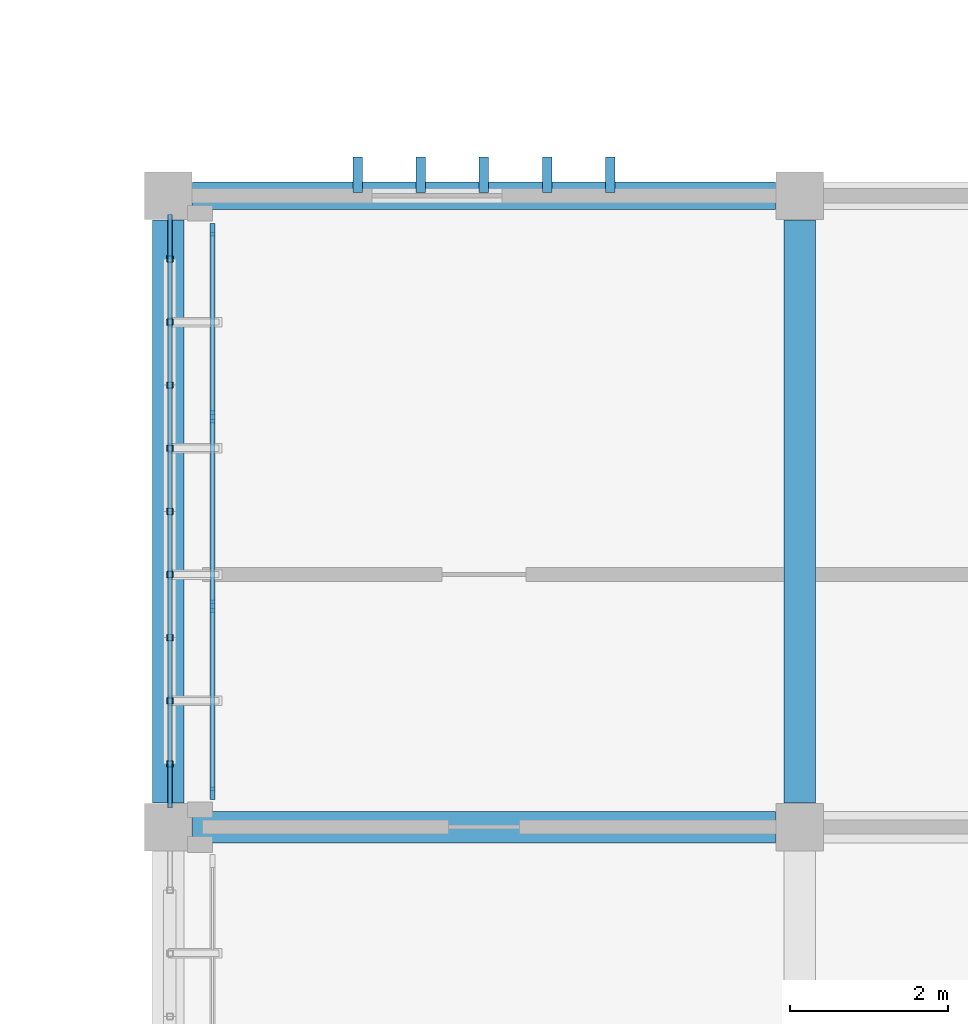
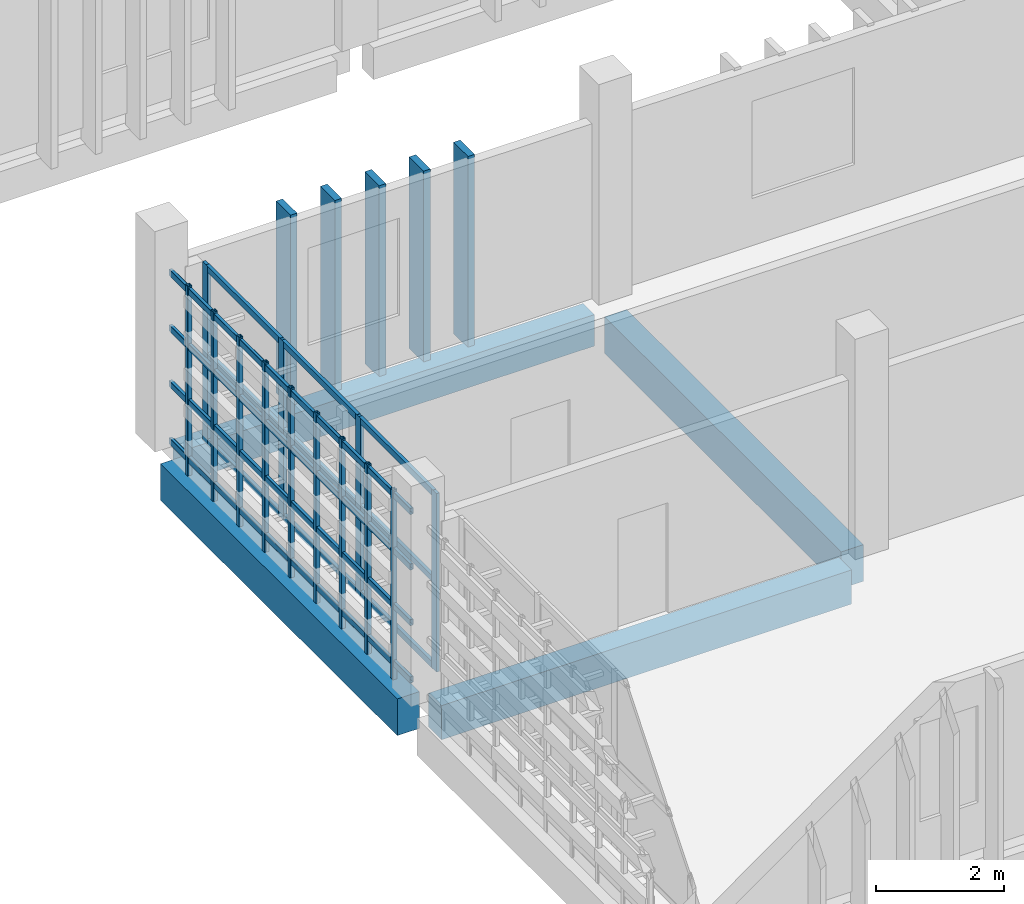
# One storey, part 24 of 63: 31 members, 4 beams, 1 element without a shape of its own.
"""IFC4 building model written with IfcOpenShell, lengths in metres."""

from ifc_helpers import new_model, si_unit, direction, frame, origin, origin_2d, place, context, subcontext, project, spatial, rectangle, hollow_rectangle, extrude, material, layer, layer_set, material_profile, profile_set, type_object, element, aggregate, save


model = new_model("IFC4")

# Units and contexts
model_context = context("Model", 3, precision=1e-05, world=origin(), true_north=direction((0.0, 1.0)))
body_context = subcontext(model_context, "Body", "Model", "MODEL_VIEW")
ifc_project = project(units=[si_unit("LENGTHUNIT", "METRE"), si_unit("AREAUNIT", "SQUARE_METRE"), si_unit("VOLUMEUNIT", "CUBIC_METRE"), si_unit("PLANEANGLEUNIT", "RADIAN"), si_unit("MASSUNIT", "GRAM", prefix="KILO")], contexts=[model_context])

# Site, building, storey
site_placement = place(None, origin())
site = spatial("IfcSite", under=ifc_project, at=site_placement, CompositionType="ELEMENT")
building_placement = place(site_placement, origin())
building = spatial("IfcBuilding", under=site, at=building_placement, Name="Jelvoka-Kovrelna Polytechnic", CompositionType="ELEMENT")
storey_placement = place(building_placement, frame((0.0, 0.0, 18.0)))
storey = spatial("IfcBuildingStorey", under=building, at=storey_placement, Name="L05", CompositionType="ELEMENT", Elevation=18.0)

# Beams
ifc_material_1 = material(Name="Concrete C40/50", Category="concrete")
ifc_material_profile_1 = material_profile(ifc_material_1, rectangle(XDim=0.39990234375, YDim=0.64990234375, at=origin_2d()), Name="RC 400x650")
ifc_profile_set_1 = profile_set([ifc_material_profile_1], Name="Concrete C40/50")
beam_type_1 = type_object("IfcBeamType", Name="Beam_RC_400x650", PredefinedType="BEAM", material=ifc_profile_set_1)
beam_1_placement = place(storey_placement, frame((128.304931640625, 40.0, -0.574951171875), z_axis=(1.0, 0.0, 0.0), x_axis=(0.0, 1.0, 0.0)))
element("IfcBeam", 1, at=beam_1_placement, inside=storey, type_object=beam_type_1, Name="L05 beam 1468", PredefinedType="BEAM", context=body_context, shape_type="SweptSolid", body=[
    extrude(rectangle(XDim=0.39990234375, YDim=0.64990234375, at=origin_2d()), origin(), (0.0, 0.0, 1.0), 7.39013671875),
])
ifc_material_2 = material(Name="Concrete C40/50", Category="concrete")
ifc_material_profile_2 = material_profile(ifc_material_2, rectangle(XDim=0.39990234375, YDim=0.699951171875, at=origin_2d()), Name="RC 400x700")
ifc_profile_set_2 = profile_set([ifc_material_profile_2], Name="Concrete C40/50")
beam_type_2 = type_object("IfcBeamType", Name="Beam_RC_400x700", PredefinedType="BEAM", material=ifc_profile_set_2)
for number, where, z_axis, x_axis, name in (
    (2, (128.0, 40.304931640625, -0.60009765625), (0.0, 1.0, 0.0), (-1.0, 0.0, 0.0), "L05 beam 1486"),
    (3, (136.0, 40.304931640625, -0.60009765625), (0.0, 1.0, 0.0), (-1.0, 0.0, 0.0), "L05 beam 1488"),
):
    element("IfcBeam", number, at=place(storey_placement, frame(where, z_axis=z_axis, x_axis=x_axis)), inside=storey, type_object=beam_type_2, Name=name, PredefinedType="BEAM", context=body_context, shape_type="SweptSolid", body=[
        extrude(rectangle(XDim=0.39990234375, YDim=0.699951171875, at=origin_2d()), origin(), (0.0, 0.0, 1.0), 7.39013671875),
    ])

# Members
ifc_material_3 = material(Name="Precast concrete C40/50", Category="concrete")
ifc_material_profile_3 = material_profile(ifc_material_3, rectangle(XDim=0.1201171875, YDim=0.449951171875, at=origin_2d()), Name="PC 120x450")
ifc_profile_set_3 = profile_set([ifc_material_profile_3], Name="Precast concrete C40/50")
member_type_1 = type_object("IfcMemberType", Name="Louvre_Fin_120x450", PredefinedType="USERDEFINED", material=ifc_profile_set_3)
for number, where, z_axis, x_axis, name in (
    (4, (130.39990234375, 48.264892578125, -0.27001953125), (0.0, 0.0, 1.0), (1.0, 0.0, 0.0), "L05 B2E north vertical solar louvre fin 1011"),
    (5, (131.199951171875, 48.264892578125, -0.27001953125), (0.0, 0.0, 1.0), (1.0, 0.0, 0.0), "L05 B2E north vertical solar louvre fin 1012"),
    (6, (132.0, 48.264892578125, -0.27001953125), (0.0, 0.0, 1.0), (1.0, 0.0, 0.0), "L05 B2E north vertical solar louvre fin 1013"),
    (7, (132.800048828125, 48.264892578125, -0.27001953125), (0.0, 0.0, 1.0), (1.0, 0.0, 0.0), "L05 B2E north vertical solar louvre fin 1014"),
    (8, (133.60009765625, 48.264892578125, -0.27001953125), (0.0, 0.0, 1.0), (1.0, 0.0, 0.0), "L05 B2E north vertical solar louvre fin 1015"),
):
    element("IfcMember", number, at=place(storey_placement, frame(where, z_axis=z_axis, x_axis=x_axis)), inside=storey, type_object=member_type_1, Name=name, ObjectType="SUNSHADE", PredefinedType="USERDEFINED", context=body_context, shape_type="SweptSolid", body=[
        extrude(rectangle(XDim=0.1201171875, YDim=0.449951171875, at=origin_2d()), origin(), (0.0, 0.0, 1.0), 3.655029296875),
    ])
ifc_material_4 = material(Name="Structural steel S355J2H", Category="steel")
ifc_material_profile_4 = material_profile(ifc_material_4, hollow_rectangle(XDim=0.06005859375, YDim=0.1201171875, WallThickness=0.0048828125, InnerFilletRadius=0.0048828125, OuterFilletRadius=0.007568359375, at=origin_2d()), Name="120x60x5.0 RHS")
ifc_profile_set_4 = profile_set([ifc_material_profile_4], Name="Structural steel S355J2H")
member_type_2 = type_object("IfcMemberType", Name="Member_Strut_RHS120", PredefinedType="STRUT", material=ifc_profile_set_4)
for number, where, z_axis, x_axis, name in (
    (9, (128.02001953125, 40.239990234375, 0.080078125), (0.0, 1.0, 0.0), (-1.0, 0.0, 0.0), "L05 terracotta screen horizontal strut 0495"),
    (10, (128.02001953125, 40.239990234375, 1.17138671875), (0.0, 1.0, 0.0), (-1.0, 0.0, 0.0), "L05 terracotta screen horizontal strut 0496"),
    (11, (128.02001953125, 40.239990234375, 2.230712890625), (0.0, 1.0, 0.0), (-1.0, 0.0, 0.0), "L05 terracotta screen horizontal strut 0497"),
    (12, (128.02001953125, 40.239990234375, 3.2900390625), (0.0, 1.0, 0.0), (-1.0, 0.0, 0.0), "L05 terracotta screen horizontal strut 0498"),
):
    element("IfcMember", number, at=place(storey_placement, frame(where, z_axis=z_axis, x_axis=x_axis)), inside=storey, type_object=member_type_2, Name=name, PredefinedType="STRUT", context=body_context, shape_type="SweptSolid", body=[
        extrude(hollow_rectangle(XDim=0.06005859375, YDim=0.1201171875, WallThickness=0.0048828125, InnerFilletRadius=0.0048828125, OuterFilletRadius=0.007568359375, at=origin_2d()), origin(), (0.0, 0.0, 1.0), 7.52001953125),
    ])
ifc_material_5 = material(Name="Structural steel S355J2H", Category="steel")
ifc_material_profile_5 = material_profile(ifc_material_5, hollow_rectangle(XDim=0.080078125, YDim=0.080078125, WallThickness=0.0048828125, InnerFilletRadius=0.0048828125, OuterFilletRadius=0.007568359375, at=origin_2d()), Name="80x80x5.0 SHS")
ifc_profile_set_5 = profile_set([ifc_material_profile_5], Name="Structural steel S355J2H")
member_type_3 = type_object("IfcMemberType", Name="Member_Strut_SHS80", PredefinedType="STRUT", material=ifc_profile_set_5)
for number, where, z_axis, x_axis, name in (
    (13, (128.02001953125, 40.800048828125, -0.22998046875), (0.0, 0.0, 1.0), (1.0, 0.0, 0.0), "L05 terracotta lattice vertical rib 0499"),
    (14, (128.02001953125, 41.60009765625, -0.22998046875), (0.0, 0.0, 1.0), (1.0, 0.0, 0.0), "L05 terracotta lattice vertical rib 0500"),
    (15, (128.02001953125, 42.39990234375, -0.22998046875), (0.0, 0.0, 1.0), (1.0, 0.0, 0.0), "L05 terracotta lattice vertical rib 0501"),
    (16, (128.02001953125, 43.199951171875, -0.22998046875), (0.0, 0.0, 1.0), (1.0, 0.0, 0.0), "L05 terracotta lattice vertical rib 0502"),
    (17, (128.02001953125, 44.0, -0.22998046875), (0.0, 0.0, 1.0), (1.0, 0.0, 0.0), "L05 terracotta lattice vertical rib 0503"),
    (18, (128.02001953125, 44.800048828125, -0.22998046875), (0.0, 0.0, 1.0), (1.0, 0.0, 0.0), "L05 terracotta lattice vertical rib 0504"),
    (19, (128.02001953125, 45.60009765625, -0.22998046875), (0.0, 0.0, 1.0), (1.0, 0.0, 0.0), "L05 terracotta lattice vertical rib 0505"),
    (20, (128.02001953125, 46.39990234375, -0.22998046875), (0.0, 0.0, 1.0), (1.0, 0.0, 0.0), "L05 terracotta lattice vertical rib 0506"),
    (21, (128.02001953125, 47.199951171875, -0.22998046875), (0.0, 0.0, 1.0), (1.0, 0.0, 0.0), "L05 terracotta lattice vertical rib 0507"),
):
    element("IfcMember", number, at=place(storey_placement, frame(where, z_axis=z_axis, x_axis=x_axis)), inside=storey, type_object=member_type_3, Name=name, PredefinedType="STRUT", context=body_context, shape_type="SweptSolid", body=[
        extrude(hollow_rectangle(XDim=0.080078125, YDim=0.080078125, WallThickness=0.0048828125, InnerFilletRadius=0.0048828125, OuterFilletRadius=0.007568359375, at=origin_2d()), origin(), (0.0, 0.0, 1.0), 3.60986328125),
    ])

# Curtain wall, members
ifc_material_6 = material(Name="Anodised aluminium 6063-T6", Category="aluminium")
ifc_layer = layer(ifc_material_6, 0.159912109375)
ifc_layer_set = layer_set([ifc_layer], Name="Anodised aluminium 6063-T6")
curtain_wall_type = type_object("IfcCurtainWallType", Name="CW_Recessed_A", PredefinedType="NOTDEFINED", material=ifc_layer_set)
curtain_wall_placement = place(storey_placement, origin())
curtain_wall = element("IfcCurtainWall", 22, at=curtain_wall_placement, inside=storey, type_object=curtain_wall_type, Name="L05 glazed curtain wall 071", PredefinedType="NOTDEFINED")
ifc_material_7 = material(Name="Anodised aluminium 6063-T6", Category="aluminium")
ifc_material_profile_6 = material_profile(ifc_material_7, rectangle(XDim=0.06005859375, YDim=0.159912109375, at=origin_2d()), Name="ALU 60x160")
ifc_profile_set_6 = profile_set([ifc_material_profile_6], Name="Anodised aluminium 6063-T6")
member_type_4 = type_object("IfcMemberType", Name="Mullion_M-01", PredefinedType="MULLION", material=ifc_profile_set_6)
member_1_placement = place(storey_placement, frame((128.56005859375, 40.429931640625, -0.02490234375), z_axis=(0.0, 0.0, 1.0), x_axis=(-1.0, 0.0, 0.0)))
member_1 = element("IfcMember", 23, at=member_1_placement, type_object=member_type_4, Name="CW-01 mullion 1", PredefinedType="MULLION", context=body_context, shape_type="SweptSolid", body=[
    extrude(rectangle(XDim=0.06005859375, YDim=0.159912109375, at=origin_2d()), origin(), (0.0, 0.0, 1.0), 3.400146484375),
])
member_2_placement = place(storey_placement, frame((128.56005859375, 42.800048828125, -0.02490234375), z_axis=(0.0, 0.0, 1.0), x_axis=(-1.0, 0.0, 0.0)))
member_2 = element("IfcMember", 24, at=member_2_placement, type_object=member_type_4, Name="CW-01 mullion 2", PredefinedType="MULLION", context=body_context, shape_type="SweptSolid", body=[
    extrude(rectangle(XDim=0.06005859375, YDim=0.159912109375, at=origin_2d()), origin(), (0.0, 0.0, 1.0), 3.400146484375),
])
member_3_placement = place(storey_placement, frame((128.56005859375, 45.199951171875, -0.02490234375), z_axis=(0.0, 0.0, 1.0), x_axis=(-1.0, 0.0, 0.0)))
member_3 = element("IfcMember", 25, at=member_3_placement, type_object=member_type_4, Name="CW-01 mullion 3", PredefinedType="MULLION", context=body_context, shape_type="SweptSolid", body=[
    extrude(rectangle(XDim=0.06005859375, YDim=0.159912109375, at=origin_2d()), origin(), (0.0, 0.0, 1.0), 3.400146484375),
])
member_4_placement = place(storey_placement, frame((128.56005859375, 47.570068359375, -0.02490234375), z_axis=(0.0, 0.0, 1.0), x_axis=(-1.0, 0.0, 0.0)))
member_4 = element("IfcMember", 26, at=member_4_placement, type_object=member_type_4, Name="CW-01 mullion 4", PredefinedType="MULLION", context=body_context, shape_type="SweptSolid", body=[
    extrude(rectangle(XDim=0.06005859375, YDim=0.159912109375, at=origin_2d()), origin(), (0.0, 0.0, 1.0), 3.400146484375),
])

# Beam
ifc_material_8 = material(Name="Concrete C40/50", Category="concrete")
ifc_material_profile_7 = material_profile(ifc_material_8, rectangle(XDim=0.35009765625, YDim=0.60009765625, at=origin_2d()), Name="RC 350x600")
ifc_profile_set_7 = profile_set([ifc_material_profile_7], Name="Concrete C40/50")
beam_type_3 = type_object("IfcBeamType", Name="Spandrel_RC_350x600", PredefinedType="SPANDREL", material=ifc_profile_set_7)
beam_2_placement = place(storey_placement, frame((128.304931640625, 48.0, -0.550048828125), z_axis=(1.0, 0.0, 0.0), x_axis=(0.0, 1.0, 0.0)))
element("IfcBeam", 27, at=beam_2_placement, inside=storey, type_object=beam_type_3, Name="L05 beam 1476", PredefinedType="SPANDREL", context=body_context, shape_type="SweptSolid", body=[
    extrude(rectangle(XDim=0.35009765625, YDim=0.60009765625, at=origin_2d()), origin(), (0.0, 0.0, 1.0), 7.39013671875),
])

# Member
ifc_material_9 = material(Name="Anodised aluminium 6063-T6", Category="aluminium")
ifc_material_profile_8 = material_profile(ifc_material_9, rectangle(XDim=0.06005859375, YDim=0.1201171875, at=origin_2d()), Name="ALU 60x120")
ifc_profile_set_8 = profile_set([ifc_material_profile_8], Name="Anodised aluminium 6063-T6")
member_type_5 = type_object("IfcMemberType", Name="Transom_T-01", PredefinedType="USERDEFINED", material=ifc_profile_set_8)
member_5_placement = place(storey_placement, frame((128.56005859375, 40.4599609375, 0.030029296875), z_axis=(0.0, 1.0, 0.0), x_axis=(-1.0, 0.0, 0.0)))
member_5 = element("IfcMember", 28, at=member_5_placement, type_object=member_type_5, Name="CW-01 transom 1.1", ObjectType="TRANSOM", PredefinedType="USERDEFINED", context=body_context, shape_type="SweptSolid", body=[
    extrude(rectangle(XDim=0.06005859375, YDim=0.1201171875, at=origin_2d()), origin(), (0.0, 0.0, 1.0), 2.31005859375),
])

member_6_placement = place(storey_placement, frame((128.56005859375, 40.4599609375, 1.675048828125), z_axis=(0.0, 1.0, 0.0), x_axis=(-1.0, 0.0, 0.0)))
member_6 = element("IfcMember", 29, at=member_6_placement, type_object=member_type_5, Name="CW-01 transom 1.2", ObjectType="TRANSOM", PredefinedType="USERDEFINED", context=body_context, shape_type="SweptSolid", body=[
    extrude(rectangle(XDim=0.06005859375, YDim=0.1201171875, at=origin_2d()), origin(), (0.0, 0.0, 1.0), 2.31005859375),
])

member_7_placement = place(storey_placement, frame((128.56005859375, 40.4599609375, 3.320068359375), z_axis=(0.0, 1.0, 0.0), x_axis=(-1.0, 0.0, 0.0)))
member_7 = element("IfcMember", 30, at=member_7_placement, type_object=member_type_5, Name="CW-01 transom 1.3", ObjectType="TRANSOM", PredefinedType="USERDEFINED", context=body_context, shape_type="SweptSolid", body=[
    extrude(rectangle(XDim=0.06005859375, YDim=0.1201171875, at=origin_2d()), origin(), (0.0, 0.0, 1.0), 2.31005859375),
])

member_8_placement = place(storey_placement, frame((128.56005859375, 42.830078125, 0.030029296875), z_axis=(0.0, 1.0, 0.0), x_axis=(-1.0, 0.0, 0.0)))
member_8 = element("IfcMember", 31, at=member_8_placement, type_object=member_type_5, Name="CW-01 transom 2.1", ObjectType="TRANSOM", PredefinedType="USERDEFINED", context=body_context, shape_type="SweptSolid", body=[
    extrude(rectangle(XDim=0.06005859375, YDim=0.1201171875, at=origin_2d()), origin(), (0.0, 0.0, 1.0), 2.33984375),
])

member_9_placement = place(storey_placement, frame((128.56005859375, 42.830078125, 1.675048828125), z_axis=(0.0, 1.0, 0.0), x_axis=(-1.0, 0.0, 0.0)))
member_9 = element("IfcMember", 32, at=member_9_placement, type_object=member_type_5, Name="CW-01 transom 2.2", ObjectType="TRANSOM", PredefinedType="USERDEFINED", context=body_context, shape_type="SweptSolid", body=[
    extrude(rectangle(XDim=0.06005859375, YDim=0.1201171875, at=origin_2d()), origin(), (0.0, 0.0, 1.0), 2.33984375),
])

member_10_placement = place(storey_placement, frame((128.56005859375, 42.830078125, 3.320068359375), z_axis=(0.0, 1.0, 0.0), x_axis=(-1.0, 0.0, 0.0)))
member_10 = element("IfcMember", 33, at=member_10_placement, type_object=member_type_5, Name="CW-01 transom 2.3", ObjectType="TRANSOM", PredefinedType="USERDEFINED", context=body_context, shape_type="SweptSolid", body=[
    extrude(rectangle(XDim=0.06005859375, YDim=0.1201171875, at=origin_2d()), origin(), (0.0, 0.0, 1.0), 2.33984375),
])

member_11_placement = place(storey_placement, frame((128.56005859375, 45.22998046875, 0.030029296875), z_axis=(0.0, 1.0, 0.0), x_axis=(-1.0, 0.0, 0.0)))
member_11 = element("IfcMember", 34, at=member_11_placement, type_object=member_type_5, Name="CW-01 transom 3.1", ObjectType="TRANSOM", PredefinedType="USERDEFINED", context=body_context, shape_type="SweptSolid", body=[
    extrude(rectangle(XDim=0.06005859375, YDim=0.1201171875, at=origin_2d()), origin(), (0.0, 0.0, 1.0), 2.31005859375),
])

member_12_placement = place(storey_placement, frame((128.56005859375, 45.22998046875, 1.675048828125), z_axis=(0.0, 1.0, 0.0), x_axis=(-1.0, 0.0, 0.0)))
member_12 = element("IfcMember", 35, at=member_12_placement, type_object=member_type_5, Name="CW-01 transom 3.2", ObjectType="TRANSOM", PredefinedType="USERDEFINED", context=body_context, shape_type="SweptSolid", body=[
    extrude(rectangle(XDim=0.06005859375, YDim=0.1201171875, at=origin_2d()), origin(), (0.0, 0.0, 1.0), 2.31005859375),
])

member_13_placement = place(storey_placement, frame((128.56005859375, 45.22998046875, 3.320068359375), z_axis=(0.0, 1.0, 0.0), x_axis=(-1.0, 0.0, 0.0)))
member_13 = element("IfcMember", 36, at=member_13_placement, type_object=member_type_5, Name="CW-01 transom 3.3", ObjectType="TRANSOM", PredefinedType="USERDEFINED", context=body_context, shape_type="SweptSolid", body=[
    extrude(rectangle(XDim=0.06005859375, YDim=0.1201171875, at=origin_2d()), origin(), (0.0, 0.0, 1.0), 2.31005859375),
])

aggregate(curtain_wall, [member_1, member_2, member_3, member_4, member_5, member_6, member_7, member_8, member_9, member_10, member_11, member_12, member_13])

save(model, "model.ifc")
